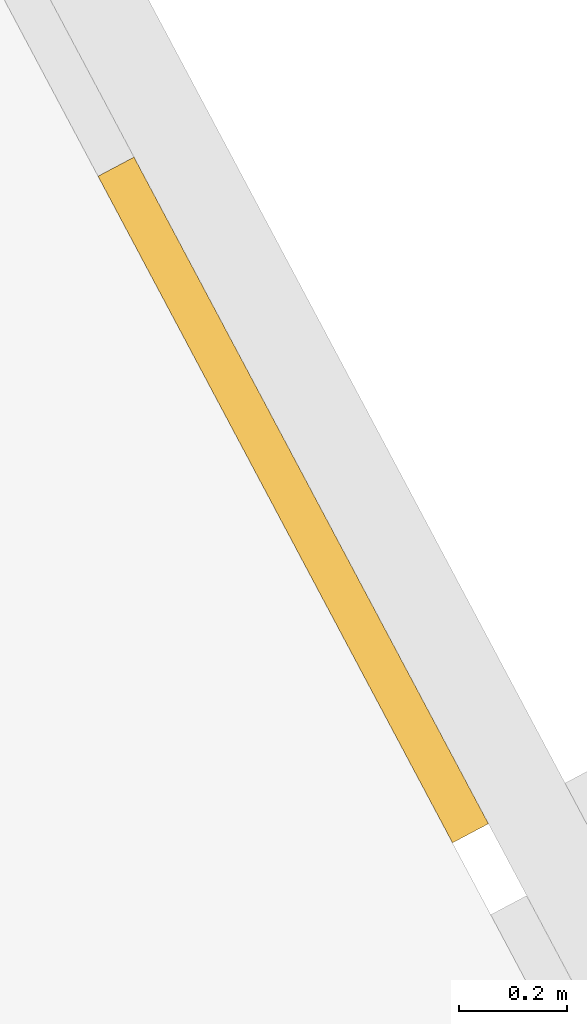
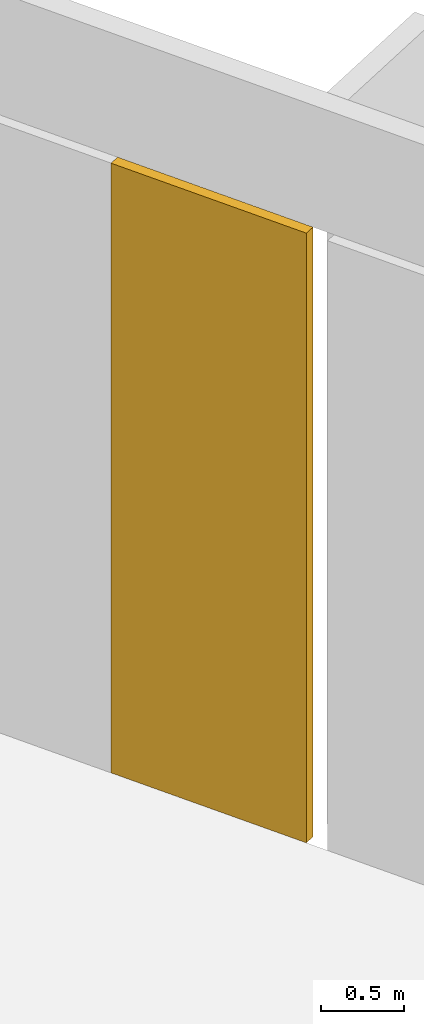
# One storey, part 31 of 31: 1 covering, 1 element without a shape of its own.
"""IFC4 building model written with IfcOpenShell, lengths in metres."""

import ifcopenshell
import ifcopenshell.guid

model = None  # the IFC model being written
_history = None  # IfcOwnerHistory: only IFC2X3 demands one
_inside = {}  # id of a spatial element -> (the spatial element, [elements in it])
_under = {}  # id of a project, library or spatial element -> (it, [spatial elements below it])
_declared = {}  # id of a project -> (the project, [libraries it declares])
_typed = {}  # id of a type object -> (the type object, [elements of that type])
_made_of = {}  # id of a material, layer set ... -> (it, [elements and type objects made of it])


def new_model(schema):
    """Start an empty IFC model of exactly this schema.

    Asked for "IFC4X3", IfcOpenShell would pick the latest addendum, in which some entities
    have other attributes; the version numbers below select the first issue.
    IFC2X3 requires an IfcOwnerHistory on every rooted entity: one is made here for all.
    """
    global model, _history
    if schema == "IFC4X3":
        model = ifcopenshell.file(schema_version=(4, 3, 0, 0))
    else:
        model = ifcopenshell.file(schema=schema)
    _inside.clear()
    _under.clear()
    _declared.clear()
    _typed.clear()
    _made_of.clear()
    _history = None
    if model.schema == "IFC2X3":
        org = make("IfcOrganization", Name="unknown")
        user = make(
            "IfcPersonAndOrganization",
            ThePerson=make("IfcPerson", FamilyName="unknown"),
            TheOrganization=org,
        )
        app = make(
            "IfcApplication",
            ApplicationDeveloper=org,
            Version="unknown",
            ApplicationFullName="unknown",
            ApplicationIdentifier="unknown",
        )
        _history = make(
            "IfcOwnerHistory",
            OwningUser=user,
            OwningApplication=app,
            ChangeAction="ADDED",
            CreationDate=0,
        )
    return model


def make(cls, **values):
    """One entity of the class cls with the attributes given. An attribute that is None is left unset."""
    return model.create_entity(
        cls, **{name: value for name, value in values.items() if value is not None}
    )


def rooted(cls, **values):
    """An entity with a GlobalId (a new one), such as an element, a storey or a relation."""
    return make(cls, GlobalId=ifcopenshell.guid.new(), OwnerHistory=_history, **values)


def si_unit(unit_type, name, prefix=None):
    """IfcSIUnit, for example si_unit("LENGTHUNIT", "METRE", prefix="MILLI")."""
    return make("IfcSIUnit", UnitType=unit_type, Prefix=prefix, Name=name)


def assignment(units):
    """IfcUnitAssignment: the units of a project."""
    return None if units is None else make("IfcUnitAssignment", Units=units)


def point(xyz):
    """IfcCartesianPoint."""
    return None if xyz is None else make("IfcCartesianPoint", Coordinates=xyz)


def direction(xyz):
    """IfcDirection."""
    return None if xyz is None else make("IfcDirection", DirectionRatios=xyz)


def frame(location, z_axis=None, x_axis=None):
    """IfcAxis2Placement3D, a coordinate frame: its origin and axes. An axis left out is left unset."""
    return make(
        "IfcAxis2Placement3D",
        Location=point(location),
        Axis=direction(z_axis),
        RefDirection=direction(x_axis),
    )


def frame_2d(location, x_axis=None):
    """IfcAxis2Placement2D, a coordinate frame in the plane: its origin and x axis."""
    return make(
        "IfcAxis2Placement2D", Location=point(location), RefDirection=direction(x_axis)
    )


def origin():
    """The frame at (0, 0, 0) with its axes left unset."""
    return frame((0.0, 0.0, 0.0))


def origin_2d():
    """The frame at (0, 0) in the plane with its x axis left unset."""
    return frame_2d((0.0, 0.0))


def place(relative_to, where):
    """IfcLocalPlacement: puts the frame where relative to a parent placement (None: the world)."""
    return make(
        "IfcLocalPlacement", PlacementRelTo=relative_to, RelativePlacement=where
    )


def context(
    kind, dimensions, precision=None, world=None, true_north=None, identifier=None
):
    """IfcGeometricRepresentationContext, for example the 3D "Model" context."""
    return make(
        "IfcGeometricRepresentationContext",
        ContextIdentifier=identifier,
        ContextType=kind,
        CoordinateSpaceDimension=dimensions,
        Precision=precision,
        WorldCoordinateSystem=world,
        TrueNorth=true_north,
    )


def subcontext(parent, identifier, kind, view, scale=None):
    """IfcGeometricRepresentationSubContext, for example "Body" below "Model"."""
    return make(
        "IfcGeometricRepresentationSubContext",
        ContextIdentifier=identifier,
        ContextType=kind,
        ParentContext=parent,
        TargetScale=scale,
        TargetView=view,
    )


def project(units=None, contexts=None):
    """IfcProject with its units and contexts."""
    return rooted(
        "IfcProject",
        Name="project",
        RepresentationContexts=contexts,
        UnitsInContext=assignment(units),
    )


def spatial(cls, under=None, at=None, **own):
    """A site, building, storey or space (cls), placed at a placement, below another one or the project."""
    s = rooted(cls, ObjectPlacement=at, **own)
    if under is not None:
        _under.setdefault(under.id(), (under, []))[1].append(s)
    return s


def profile(cls, at=None, kind="AREA", **sizes):
    """A parametric profile (cls). Its sizes go by their IFC names, for example OverallWidth=200.0."""
    return make(cls, ProfileType=kind, Position=at, **sizes)


def rectangle(**sizes):
    """IfcRectangleProfileDef."""
    return profile("IfcRectangleProfileDef", **sizes)


def extrude(swept, where, along, depth):
    """IfcExtrudedAreaSolid: the profile swept, set in the frame where, extruded along a direction by depth."""
    return make(
        "IfcExtrudedAreaSolid",
        SweptArea=swept,
        Position=where,
        ExtrudedDirection=direction(along),
        Depth=depth,
    )


def shape(context_of_items, identifier, shape_type, items):
    """IfcShapeRepresentation: the items that make up one representation, for example the "Body"."""
    return make(
        "IfcShapeRepresentation",
        ContextOfItems=context_of_items,
        RepresentationIdentifier=identifier,
        RepresentationType=shape_type,
        Items=items,
    )


def material(Name=None, Category=None):
    """IfcMaterial."""
    return make("IfcMaterial", Name=Name, Category=Category)


def layer(
    of_material, thickness, ventilated=None, Name=None, Category=None, Priority=None
):
    """IfcMaterialLayer: one layer of a wall or slab, of a material (None: an air gap)."""
    return make(
        "IfcMaterialLayer",
        Material=of_material,
        LayerThickness=thickness,
        IsVentilated=ventilated,
        Name=Name,
        Category=Category,
        Priority=Priority,
    )


def layer_set(layers, Name=None):
    """IfcMaterialLayerSet."""
    return make("IfcMaterialLayerSet", MaterialLayers=layers, LayerSetName=Name)


def made_of(thing, what):
    """Note that an element or type object is made of a material, layer set ...; save() writes the relation."""
    if what is not None:
        _made_of.setdefault(what.id(), (what, []))[1].append(thing)
    return thing


def type_object(cls, material=None, **own):
    """A type object (cls), such as IfcWallType, which elements share."""
    return made_of(rooted(cls, **own), material)


def element(
    cls,
    number,
    at=None,
    inside=None,
    cuts=None,
    type_object=None,
    material=None,
    context=None,
    identifier="Body",
    shape_type=None,
    held_by="IfcProductDefinitionShape",
    body=None,
    shapes=None,
    **own,
):
    """One element of the class cls, such as IfcWall. Its Tag is "e" and its number.

    at: its placement. inside: the storey or other place that contains it. cuts: it is an
    opening in that element (IfcRelVoidsElement). A single representation is given by context,
    identifier, shape_type and body (its items); several are given by shapes. held_by: the class
    of the entity that holds the representations. save() writes the other relations.
    """
    e = rooted(cls, Tag="e%d" % number, ObjectPlacement=at, **own)
    if body is not None:
        shapes = [shape(context, identifier, shape_type, body)]
    if shapes is not None:
        e.Representation = make(held_by, Representations=shapes)
    if inside is not None:
        _inside.setdefault(inside.id(), (inside, []))[1].append(e)
    if cuts is not None:
        rooted(
            "IfcRelVoidsElement", RelatingBuildingElement=cuts, RelatedOpeningElement=e
        )
    if type_object is not None:
        _typed.setdefault(type_object.id(), (type_object, []))[1].append(e)
    return made_of(e, material)


def aggregate(whole, parts):
    """IfcRelAggregates: a whole, such as a stair, and the parts it consists of."""
    return rooted("IfcRelAggregates", RelatingObject=whole, RelatedObjects=parts)


def save(model, path):
    """Write the relations noted so far, then the file.

    IfcRelAggregates (storeys below a building ...), IfcRelContainedInSpatialStructure (elements
    in a storey), IfcRelDefinesByType, IfcRelAssociatesMaterial and IfcRelDeclares: one each for
    every whole, place, type object, material and project.
    """
    for whole, parts in _under.values():
        aggregate(whole, parts)
    for where, things in _inside.values():
        rooted(
            "IfcRelContainedInSpatialStructure",
            RelatedElements=things,
            RelatingStructure=where,
        )
    for kind, things in _typed.values():
        rooted("IfcRelDefinesByType", RelatedObjects=things, RelatingType=kind)
    for what, things in _made_of.values():
        rooted("IfcRelAssociatesMaterial", RelatedObjects=things, RelatingMaterial=what)
    for by, libraries in _declared.values():
        rooted("IfcRelDeclares", RelatingContext=by, RelatedDefinitions=libraries)
    model.write(path)


model = new_model("IFC4")

# Units and contexts
model_context = context("Model", 3, precision=1e-05, world=origin(), true_north=direction((0.0, 1.0)))
body_context = subcontext(model_context, "Body", "Model", "MODEL_VIEW")
ifc_project = project(units=[si_unit("LENGTHUNIT", "METRE"), si_unit("AREAUNIT", "SQUARE_METRE"), si_unit("VOLUMEUNIT", "CUBIC_METRE"), si_unit("PLANEANGLEUNIT", "RADIAN"), si_unit("MASSUNIT", "GRAM", prefix="KILO")], contexts=[model_context])

# Site, building, storey
site_placement = place(None, origin())
site = spatial("IfcSite", under=ifc_project, at=site_placement, CompositionType="ELEMENT")
building_placement = place(site_placement, origin())
building = spatial("IfcBuilding", under=site, at=building_placement, Name="Cormorant Relay Tower", CompositionType="ELEMENT")
storey_placement = place(building_placement, frame((0.0, 0.0, 50.0)))
storey = spatial("IfcBuildingStorey", under=building, at=storey_placement, Name="L09", CompositionType="ELEMENT", Elevation=50.0)

# Curtain wall, covering
ifc_material_1 = material(Name="Aluminium 6063-T6 anodised bronze", Category="aluminium")
ifc_layer_1 = layer(ifc_material_1, 0.235107421875)
ifc_layer_set_1 = layer_set([ifc_layer_1], Name="CW6 data hall curtain wall with mineral wool panels")
curtain_wall_type = type_object("IfcCurtainWallType", Name="CW6 data hall curtain wall with mineral wool panels", PredefinedType="NOTDEFINED", material=ifc_layer_set_1)
curtain_wall_placement = place(storey_placement, origin())
curtain_wall = element("IfcCurtainWall", 1, at=curtain_wall_placement, inside=storey, type_object=curtain_wall_type, Name="CW6 curtain wall 4", PredefinedType="NOTDEFINED")
ifc_material_2 = material(Name="Mineral wool cored anodised bronze aluminium cassette panel", Category="aluminium")
ifc_layer_2 = layer(ifc_material_2, 0.074951171875)
ifc_layer_set_2 = layer_set([ifc_layer_2], Name="CW6 mineral wool cassette panel 75")
covering_type = type_object("IfcCoveringType", Name="CW6 mineral wool cassette panel 75", PredefinedType="CLADDING", material=ifc_layer_set_2)
covering_placement = place(storey_placement, frame((66.86474609375, 27.689453125, 0.0), z_axis=(0.0, 0.0, 1.0), x_axis=(-0.469471562786, 0.882947592859, 0.0)))
covering = element("IfcCovering", 2, at=covering_placement, type_object=covering_type, Name="CW6 panel S01", PredefinedType="CLADDING", context=body_context, shape_type="SweptSolid", body=[
    extrude(rectangle(XDim=1.392822265625, YDim=0.074951171875, at=origin_2d()), origin(), (0.0, 0.0, 1.0), 4.5),
])
aggregate(curtain_wall, [covering])

save(model, "model.ifc")
